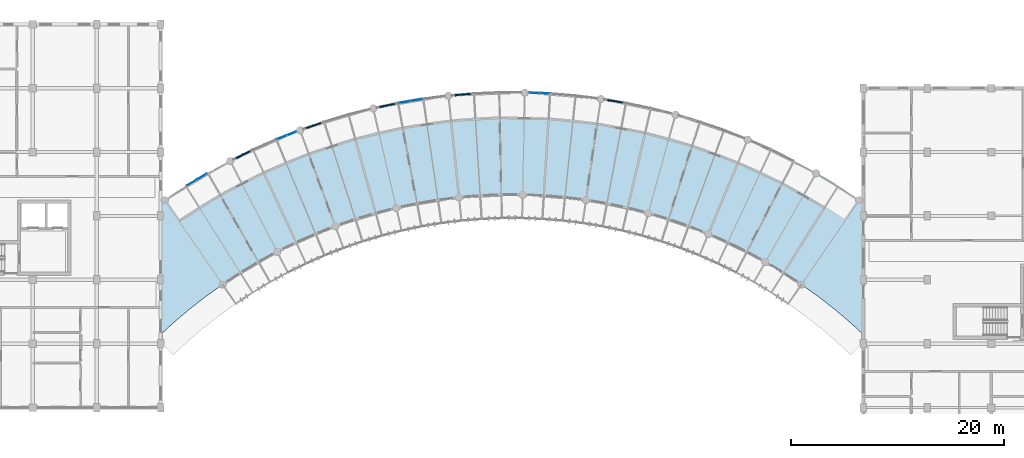
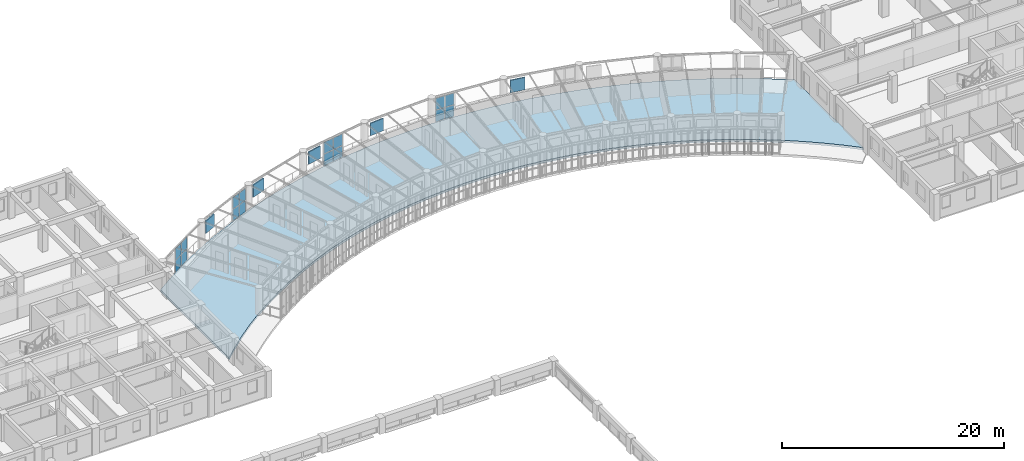
# One storey, part 81 of 137: 21 plates, 1 slab, 4 elements without a shape of their own.
"""IFC4 building model written with IfcOpenShell, lengths in metres."""

from ifc_helpers import new_model, si_unit, direction, frame, origin, origin_2d, place, context, subcontext, project, spatial, polyline, rectangle, outline, extrude, material, layer, layer_set, type_object, element, aggregate, save


model = new_model("IFC4")

# Units and contexts
model_context = context("Model", 3, precision=1e-05, world=origin(), true_north=direction((0.0, 1.0)))
body_context = subcontext(model_context, "Body", "Model", "MODEL_VIEW")
ifc_project = project(units=[si_unit("LENGTHUNIT", "METRE"), si_unit("AREAUNIT", "SQUARE_METRE"), si_unit("VOLUMEUNIT", "CUBIC_METRE"), si_unit("PLANEANGLEUNIT", "RADIAN"), si_unit("MASSUNIT", "GRAM", prefix="KILO"), si_unit("POWERUNIT", "WATT"), si_unit("THERMODYNAMICTEMPERATUREUNIT", "KELVIN")], contexts=[model_context])

# Site, building, storey
site_placement = place(None, origin())
site = spatial("IfcSite", under=ifc_project, at=site_placement, CompositionType="ELEMENT")
building_placement = place(site_placement, origin())
building = spatial("IfcBuilding", under=site, at=building_placement, Name="Ruvembo Vaulted Housing Court", CompositionType="ELEMENT")
storey_placement = place(building_placement, frame((0.0, 0.0, 4.5)))
storey = spatial("IfcBuildingStorey", under=building, at=storey_placement, Name="L01", CompositionType="ELEMENT", Elevation=4.5)

# Curtain wall, plates
ifc_material_1 = material(Name="Anodised Aluminium and Solar-Control Glass", Category="aluminium")
ifc_layer_1 = layer(ifc_material_1, 0.1201171875, Name="Anodised Aluminium and Solar-Control Glass")
ifc_layer_set_1 = layer_set([ifc_layer_1], Name="Anodised Aluminium and Solar-Control Glass")
curtain_wall_type_1 = type_object("IfcCurtainWallType", Name="CW-SCOOP-GAL", PredefinedType="NOTDEFINED", material=ifc_layer_set_1)
curtain_wall_1_placement = place(storey_placement, origin())
curtain_wall_1 = element("IfcCurtainWall", 1, at=curtain_wall_1_placement, inside=storey, type_object=curtain_wall_type_1, Name="L01 Curtain Wall CW-L01-0060", PredefinedType="NOTDEFINED")
ifc_material_2 = material(Name="Solar-Control Laminated Insulating Glass", Category="glass")
ifc_layer_2 = layer(ifc_material_2, 0.035888671875, Name="Solar-Control Laminated Insulating Glass")
ifc_layer_set_2 = layer_set([ifc_layer_2], Name="Solar-Control Laminated Insulating Glass")
plate_type_1 = type_object("IfcPlateType", Name="CW-PANEL-ACOUST", PredefinedType="CURTAIN_PANEL", material=ifc_layer_set_2)
plate_1_placement = place(storey_placement, frame((95.3935546875, 103.38427734375, 0.06005859375), z_axis=(0.0, 0.0, 1.0), x_axis=(0.930994287216, 0.365033747989, 0.0)))
plate_1 = element("IfcPlate", 2, at=plate_1_placement, type_object=plate_type_1, Name="CW6 panel 1.1", PredefinedType="CURTAIN_PANEL", context=body_context, shape_type="SweptSolid", body=[
    extrude(rectangle(XDim=0.9052734375, YDim=0.035888671875, at=origin_2d()), origin(), (0.0, 0.0, 1.0), 1.259033203125),
])
plate_2_placement = place(storey_placement, frame((95.3935546875, 103.38427734375, 1.37890625), z_axis=(0.0, 0.0, 1.0), x_axis=(0.930994287216, 0.365033747989, 0.0)))
plate_2 = element("IfcPlate", 3, at=plate_2_placement, type_object=plate_type_1, Name="CW6 panel 1.2", PredefinedType="CURTAIN_PANEL", context=body_context, shape_type="SweptSolid", body=[
    extrude(rectangle(XDim=0.9052734375, YDim=0.035888671875, at=origin_2d()), origin(), (0.0, 0.0, 1.0), 1.259033203125),
])
plate_3_placement = place(storey_placement, frame((96.292236328125, 103.73681640625, 0.06005859375), z_axis=(0.0, 0.0, 1.0), x_axis=(0.930994287216, 0.365033747989, 0.0)))
plate_3 = element("IfcPlate", 4, at=plate_3_placement, type_object=plate_type_1, Name="CW6 panel 2.1", PredefinedType="CURTAIN_PANEL", context=body_context, shape_type="SweptSolid", body=[
    extrude(rectangle(XDim=0.9052734375, YDim=0.035888671875, at=origin_2d()), origin(), (0.0, 0.0, 1.0), 1.259033203125),
])
plate_4_placement = place(storey_placement, frame((96.292236328125, 103.73681640625, 1.37890625), z_axis=(0.0, 0.0, 1.0), x_axis=(0.930994287216, 0.365033747989, 0.0)))
plate_4 = element("IfcPlate", 5, at=plate_4_placement, type_object=plate_type_1, Name="CW6 panel 2.2", PredefinedType="CURTAIN_PANEL", context=body_context, shape_type="SweptSolid", body=[
    extrude(rectangle(XDim=0.9052734375, YDim=0.035888671875, at=origin_2d()), origin(), (0.0, 0.0, 1.0), 1.259033203125),
])
aggregate(curtain_wall_1, [plate_1, plate_2, plate_3, plate_4])

curtain_wall_2_placement = place(storey_placement, origin())
curtain_wall_2 = element("IfcCurtainWall", 6, at=curtain_wall_2_placement, inside=storey, type_object=curtain_wall_type_1, Name="L01 Curtain Wall CW-L01-0059", PredefinedType="NOTDEFINED")
ifc_layer_3 = layer(ifc_material_2, 0.028076171875, Name="Solar-Control Laminated Insulating Glass")
ifc_layer_set_3 = layer_set([ifc_layer_3], Name="Solar-Control Laminated Insulating Glass")
plate_type_2 = type_object("IfcPlateType", Name="CW-PANEL-GLAZED", PredefinedType="CURTAIN_PANEL", material=ifc_layer_set_3)
plate_5_placement = place(storey_placement, frame((86.930419921875, 99.116943359375, 0.06005859375), z_axis=(0.0, 0.0, 1.0), x_axis=(0.85789323734, 0.513827980288, 0.0)))
plate_5 = element("IfcPlate", 7, at=plate_5_placement, type_object=plate_type_2, Name="CW6 panel 1.1", PredefinedType="CURTAIN_PANEL", context=body_context, shape_type="SweptSolid", body=[
    extrude(rectangle(XDim=1.06298828125, YDim=0.028076171875, at=origin_2d()), origin(), (0.0, 0.0, 1.0), 1.259033203125),
])
plate_6_placement = place(storey_placement, frame((86.930419921875, 99.116943359375, 1.37890625), z_axis=(0.0, 0.0, 1.0), x_axis=(0.85789323734, 0.513827980288, 0.0)))
plate_6 = element("IfcPlate", 8, at=plate_6_placement, type_object=plate_type_2, Name="CW6 panel 1.2", PredefinedType="CURTAIN_PANEL", context=body_context, shape_type="SweptSolid", body=[
    extrude(rectangle(XDim=1.06298828125, YDim=0.028076171875, at=origin_2d()), origin(), (0.0, 0.0, 1.0), 1.259033203125),
])
plate_7_placement = place(storey_placement, frame((87.8896484375, 99.69140625, 0.06005859375), z_axis=(0.0, 0.0, 1.0), x_axis=(0.85789323734, 0.513827980288, 0.0)))
plate_7 = element("IfcPlate", 9, at=plate_7_placement, type_object=plate_type_2, Name="CW6 panel 2.1", PredefinedType="CURTAIN_PANEL", context=body_context, shape_type="SweptSolid", body=[
    extrude(rectangle(XDim=1.06298828125, YDim=0.028076171875, at=origin_2d()), origin(), (0.0, 0.0, 1.0), 1.259033203125),
])
plate_8_placement = place(storey_placement, frame((87.8896484375, 99.69140625, 1.37890625), z_axis=(0.0, 0.0, 1.0), x_axis=(0.85789323734, 0.513827980288, 0.0)))
plate_8 = element("IfcPlate", 10, at=plate_8_placement, type_object=plate_type_2, Name="CW6 panel 2.2", PredefinedType="CURTAIN_PANEL", context=body_context, shape_type="SweptSolid", body=[
    extrude(rectangle(XDim=1.06298828125, YDim=0.028076171875, at=origin_2d()), origin(), (0.0, 0.0, 1.0), 1.259033203125),
])
aggregate(curtain_wall_2, [plate_5, plate_6, plate_7, plate_8])

curtain_wall_3_placement = place(storey_placement, origin())
curtain_wall_3 = element("IfcCurtainWall", 11, at=curtain_wall_3_placement, inside=storey, type_object=curtain_wall_type_1, Name="L01 Curtain Wall CW-L01-0062", PredefinedType="NOTDEFINED")
plate_9_placement = place(storey_placement, frame((119.05859375, 107.5517578125, 0.06005859375), z_axis=(0.0, 0.0, 1.0), x_axis=(0.999138895967, -0.041490559959, 0.0)))
plate_9 = element("IfcPlate", 12, at=plate_9_placement, type_object=plate_type_2, Name="CW6 panel 1.1", PredefinedType="CURTAIN_PANEL", context=body_context, shape_type="SweptSolid", body=[
    extrude(rectangle(XDim=0.89794921875, YDim=0.028076171875, at=origin_2d()), origin(), (0.0, 0.0, 1.0), 1.259033203125),
])
plate_10_placement = place(storey_placement, frame((119.05859375, 107.5517578125, 1.37890625), z_axis=(0.0, 0.0, 1.0), x_axis=(0.999138895967, -0.041490559959, 0.0)))
plate_10 = element("IfcPlate", 13, at=plate_10_placement, type_object=plate_type_2, Name="CW6 panel 1.2", PredefinedType="CURTAIN_PANEL", context=body_context, shape_type="SweptSolid", body=[
    extrude(rectangle(XDim=0.89794921875, YDim=0.028076171875, at=origin_2d()), origin(), (0.0, 0.0, 1.0), 1.259033203125),
])
plate_11_placement = place(storey_placement, frame((120.020751953125, 107.51171875, 0.06005859375), z_axis=(0.0, 0.0, 1.0), x_axis=(0.999138895967, -0.041490559959, 0.0)))
plate_11 = element("IfcPlate", 14, at=plate_11_placement, type_object=plate_type_2, Name="CW6 panel 2.1", PredefinedType="CURTAIN_PANEL", context=body_context, shape_type="SweptSolid", body=[
    extrude(rectangle(XDim=0.89794921875, YDim=0.028076171875, at=origin_2d()), origin(), (0.0, 0.0, 1.0), 1.259033203125),
])
plate_12_placement = place(storey_placement, frame((120.020751953125, 107.51171875, 1.37890625), z_axis=(0.0, 0.0, 1.0), x_axis=(0.999138895967, -0.041490559959, 0.0)))
plate_12 = element("IfcPlate", 15, at=plate_12_placement, type_object=plate_type_2, Name="CW6 panel 2.2", PredefinedType="CURTAIN_PANEL", context=body_context, shape_type="SweptSolid", body=[
    extrude(rectangle(XDim=0.89794921875, YDim=0.028076171875, at=origin_2d()), origin(), (0.0, 0.0, 1.0), 1.259033203125),
])
aggregate(curtain_wall_3, [plate_9, plate_10, plate_11, plate_12])

ifc_layer_4 = layer(ifc_material_1, 0.139892578125, Name="Anodised Aluminium and Solar-Control Glass")
ifc_layer_set_4 = layer_set([ifc_layer_4], Name="Anodised Aluminium and Solar-Control Glass")
curtain_wall_type_2 = type_object("IfcCurtainWallType", Name="CW-SCOOP-PAN", PredefinedType="NOTDEFINED", material=ifc_layer_set_4)
curtain_wall_4_placement = place(storey_placement, origin())
curtain_wall_4 = element("IfcCurtainWall", 16, at=curtain_wall_4_placement, inside=storey, type_object=curtain_wall_type_2, Name="L01 Curtain Wall CW-L01-0061", PredefinedType="NOTDEFINED")
ifc_layer_5 = layer(ifc_material_2, 0.031982421875, Name="Solar-Control Laminated Insulating Glass")
ifc_layer_set_5 = layer_set([ifc_layer_5], Name="Solar-Control Laminated Insulating Glass")
plate_type_3 = type_object("IfcPlateType", Name="CW-PANEL-SOLAR", PredefinedType="CURTAIN_PANEL", material=ifc_layer_set_5)
plate_13_placement = place(storey_placement, frame((106.931884765625, 106.703369140625, 0.06494140625), z_axis=(0.0, 0.0, 1.0), x_axis=(0.986249615635, 0.165262505305, 0.0)))
plate_13 = element("IfcPlate", 17, at=plate_13_placement, type_object=plate_type_3, Name="CW10 panel 1.1", PredefinedType="CURTAIN_PANEL", context=body_context, shape_type="SweptSolid", body=[
    extrude(rectangle(XDim=1.055419921875, YDim=0.031982421875, at=origin_2d()), origin(), (0.0, 0.0, 1.0), 1.25146484375),
])
plate_14_placement = place(storey_placement, frame((106.931884765625, 106.703369140625, 1.381591796875), z_axis=(0.0, 0.0, 1.0), x_axis=(0.986249615635, 0.165262505305, 0.0)))
plate_14 = element("IfcPlate", 18, at=plate_14_placement, type_object=plate_type_3, Name="CW10 panel 1.2", PredefinedType="CURTAIN_PANEL", context=body_context, shape_type="SweptSolid", body=[
    extrude(rectangle(XDim=1.055419921875, YDim=0.031982421875, at=origin_2d()), origin(), (0.0, 0.0, 1.0), 1.25146484375),
])
plate_15_placement = place(storey_placement, frame((108.031982421875, 106.8876953125, 0.06494140625), z_axis=(0.0, 0.0, 1.0), x_axis=(0.986249615635, 0.165262505305, 0.0)))
plate_15 = element("IfcPlate", 19, at=plate_15_placement, type_object=plate_type_3, Name="CW10 panel 2.1", PredefinedType="CURTAIN_PANEL", context=body_context, shape_type="SweptSolid", body=[
    extrude(rectangle(XDim=1.055419921875, YDim=0.031982421875, at=origin_2d()), origin(), (0.0, 0.0, 1.0), 1.25146484375),
])
plate_16_placement = place(storey_placement, frame((108.031982421875, 106.8876953125, 1.381591796875), z_axis=(0.0, 0.0, 1.0), x_axis=(0.986249615635, 0.165262505305, 0.0)))
plate_16 = element("IfcPlate", 20, at=plate_16_placement, type_object=plate_type_3, Name="CW10 panel 2.2", PredefinedType="CURTAIN_PANEL", context=body_context, shape_type="SweptSolid", body=[
    extrude(rectangle(XDim=1.055419921875, YDim=0.031982421875, at=origin_2d()), origin(), (0.0, 0.0, 1.0), 1.25146484375),
])
aggregate(curtain_wall_4, [plate_13, plate_14, plate_15, plate_16])

# Plates
ifc_material_3 = material(Name="Perforated Glazed Ceramic Cobogo Block", Category="ceramic")
ifc_layer_6 = layer(ifc_material_3, 0.1201171875, Name="Perforated Glazed Ceramic Cobogo Block")
ifc_layer_set_6 = layer_set([ifc_layer_6], Name="Perforated Glazed Ceramic Cobogo Block")
plate_type_4 = type_object("IfcPlateType", Name="PL-COBOGO-120", PredefinedType="USERDEFINED", material=ifc_layer_set_6)
for number, where, z_axis, x_axis, name in (
    (21, (91.743408203125, 101.75390625, 1.1201171875), (0.0, 0.0, 1.0), (0.897558685292, 0.44089500616, 0.0), "Scoop SC3 L01 Ceramic Cobogo Screen #72"),
    (22, (98.367431640625, 104.490234375, 1.1201171875), (0.0, 0.0, 1.0), (0.945370740111, 0.325997183641, 0.0), "Scoop SC3 L01 Ceramic Cobogo Screen #73"),
    (23, (105.27978515625, 106.382568359375, 1.1201171875), (0.0, 0.0, 1.0), (0.978534170393, 0.206084636433, 0.0), "Scoop SC3 L01 Ceramic Cobogo Screen #74"),
    (24, (112.3740234375, 107.401611328125, 1.1201171875), (0.0, 0.0, 1.0), (0.996553930577, 0.082947353498, 0.0), "Scoop SC3 L01 Ceramic Cobogo Screen #75"),
    (25, (126.666015625, 106.770751953125, 1.1201171875), (0.0, 0.0, 1.0), (0.986245243357, -0.165288595967, 0.0), "Scoop SC3 L01 Ceramic Cobogo Screen #76"),
):
    element("IfcPlate", number, at=place(storey_placement, frame(where, z_axis=z_axis, x_axis=x_axis)), inside=storey, type_object=plate_type_4, Name=name, ObjectType="COBOGO_PANEL", PredefinedType="USERDEFINED", context=body_context, shape_type="SweptSolid", body=[
        extrude(rectangle(XDim=1.39990234375, YDim=0.1201171875, at=origin_2d()), origin(), (0.0, 0.0, 1.0), 1.360107421875),
    ])

# Slab
ifc_material_4 = material(Name="Concrete C35/45", Category="concrete")
ifc_layer_7 = layer(ifc_material_4, 0.251953125, Name="Concrete C35/45")
ifc_layer_set_7 = layer_set([ifc_layer_7], Name="Concrete C35/45")
slab_type = type_object("IfcSlabType", Name="SL-SCOOP-252", PredefinedType="FLOOR", material=ifc_layer_set_7)
slab_placement = place(storey_placement, frame((0.0, 0.0, -0.251953125)))
element("IfcSlab", 26, at=slab_placement, inside=storey, type_object=slab_type, Name="Scoop SC3 L01 Floor Slab", PredefinedType="FLOOR", context=body_context, shape_type="SweptSolid", body=[
    extrude(outline(polyline([(150.0, 84.8466796875), (150.0, 97.2001953125), (149.61376953125, 97.477294921875), (147.615478515625, 98.789794921875), (145.564453125, 100.018310546875), (143.464111328125, 101.16064453125), (141.318115234375, 102.21484375), (139.13037109375, 103.178955078125), (136.904541015625, 104.051513671875), (134.644287109375, 104.8310546875), (132.353759765625, 105.51611328125), (130.03662109375, 106.105224609375), (127.697021484375, 106.597900390625), (125.339111328125, 106.9931640625), (122.966796875, 107.2900390625), (120.584228515625, 107.48828125), (118.1953125, 107.587646484375), (115.8046875, 107.587646484375), (113.415771484375, 107.48828125), (111.033203125, 107.2900390625), (108.660888671875, 106.9931640625), (106.302978515625, 106.597900390625), (103.96337890625, 106.105224609375), (101.646240234375, 105.51611328125), (99.355712890625, 104.8310546875), (97.095458984375, 104.051513671875), (94.86962890625, 103.178955078125), (92.681884765625, 102.21484375), (90.535888671875, 101.16064453125), (88.435546875, 100.018310546875), (86.384521484375, 98.789794921875), (84.38623046875, 97.477294921875), (84.0, 97.2001953125), (84.0, 84.8466796875), (85.117919921875, 85.88232421875), (86.634521484375, 87.17431640625), (88.203369140625, 88.402587890625), (89.82177734375, 89.564453125), (91.487060546875, 90.658203125), (93.1962890625, 91.681884765625), (94.946533203125, 92.6337890625), (96.73486328125, 93.51220703125), (98.55810546875, 94.31591796875), (100.412841796875, 95.04296875), (102.29638671875, 95.6923828125), (104.205322265625, 96.26318359375), (106.13623046875, 96.75439453125), (108.085693359375, 97.1650390625), (110.05078125, 97.494384765625), (112.027587890625, 97.74169921875), (114.01318359375, 97.906982421875), (116.00390625, 97.98974609375), (117.99609375, 97.98974609375), (119.98681640625, 97.906982421875), (121.972412109375, 97.74169921875), (123.94921875, 97.494384765625), (125.914306640625, 97.1650390625), (127.86376953125, 96.75439453125), (129.794677734375, 96.26318359375), (131.70361328125, 95.6923828125), (133.587158203125, 95.04296875), (135.44189453125, 94.31591796875), (137.26513671875, 93.51220703125), (139.053466796875, 92.6337890625), (140.8037109375, 91.681884765625), (142.512939453125, 90.658203125), (144.17822265625, 89.564453125), (145.796630859375, 88.402587890625), (147.365478515625, 87.17431640625), (148.882080078125, 85.88232421875), (150.0, 84.8466796875)])), origin(), (0.0, 0.0, 1.0), 0.251953125),
])

save(model, "model.ifc")
